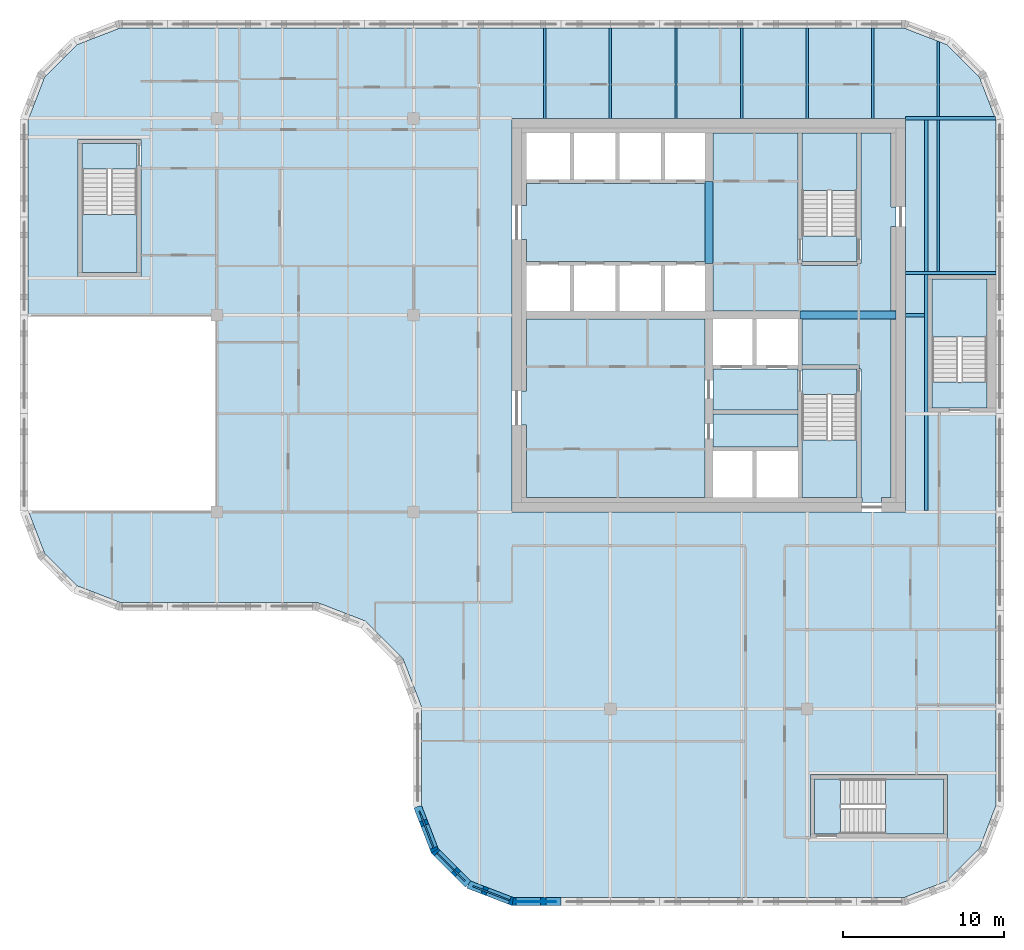
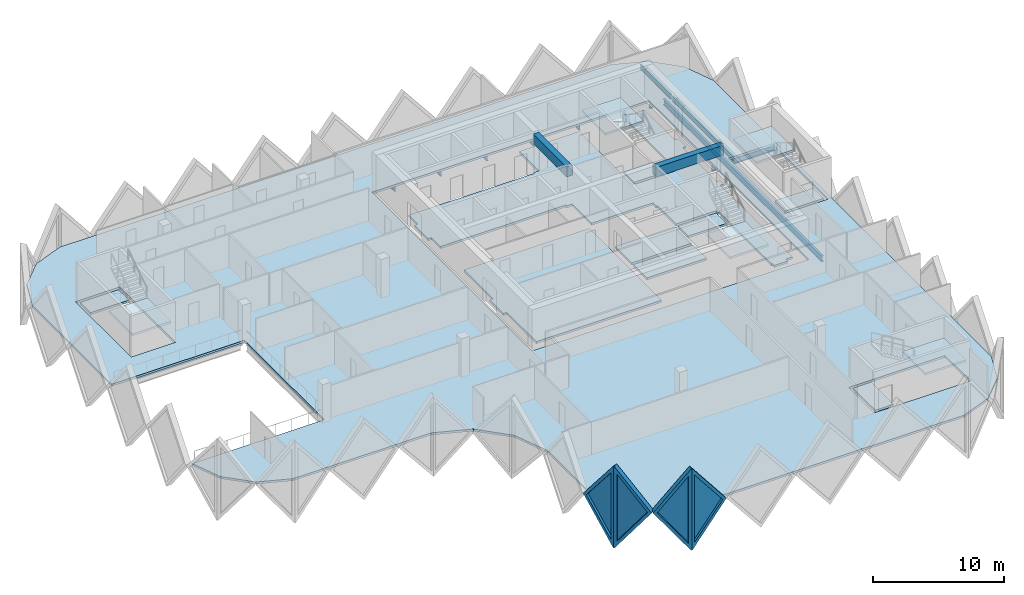
# One storey, part 2 of 11: 15 slabs, 14 beams, 4 plates, 4 walls, 4 openings, 5 elements without a shape of their own.
"""IFC4 building model written with IfcOpenShell, lengths in metres."""

from ifc_helpers import new_model, si_unit, direction, frame, origin, origin_2d, place, context, subcontext, project, spatial, polyline, rectangle, i_section, outline, extrude, faceted_brep, source, transform, mapped, material, layer, layer_set, material_profile, profile_set, type_object, element, fill, aggregate, save


model = new_model("IFC4")

# Units and contexts
model_context = context("Model", 3, precision=1e-05, world=origin(), true_north=direction((0.0, 1.0)))
body_context = subcontext(model_context, "Body", "Model", "MODEL_VIEW")
ifc_project = project(units=[si_unit("LENGTHUNIT", "METRE"), si_unit("AREAUNIT", "SQUARE_METRE"), si_unit("VOLUMEUNIT", "CUBIC_METRE"), si_unit("PLANEANGLEUNIT", "RADIAN"), si_unit("MASSUNIT", "GRAM", prefix="KILO")], contexts=[model_context])

# Site, building, storey
site_placement = place(None, origin())
site = spatial("IfcSite", under=ifc_project, at=site_placement, CompositionType="ELEMENT")
building_placement = place(site_placement, origin())
building = spatial("IfcBuilding", under=site, at=building_placement, Name="Tessera Gate Towers", CompositionType="ELEMENT")
storey_placement = place(building_placement, frame((0.0, 0.0, 170.60009765625)))
storey = spatial("IfcBuildingStorey", under=building, at=storey_placement, Name="L42", CompositionType="ELEMENT", Elevation=170.60009765625)

# Beams
ifc_material_1 = material(Name="Concrete C50/60", Category="concrete")
ifc_material_profile_1 = material_profile(ifc_material_1, rectangle(XDim=0.5, YDim=0.89990234375, at=origin_2d()), Name="RC 500x900")
ifc_profile_set_1 = profile_set([ifc_material_profile_1], Name="Concrete C50/60")
beam_type_1 = type_object("IfcBeamType", Name="COUPLING BEAM 500x900 C50/60", PredefinedType="BEAM", material=ifc_profile_set_1)
beam_1_placement = place(storey_placement, frame((48.35009765625, 36.60009765625, 3.14990234375), z_axis=(1.0, 0.0, 0.0), x_axis=(0.0, 1.0, 0.0)))
element("IfcBeam", 1, at=beam_1_placement, inside=storey, type_object=beam_type_1, Name="L42 coupling beam 1", PredefinedType="BEAM", context=body_context, shape_type="SweptSolid", body=[
    extrude(rectangle(XDim=0.5, YDim=0.89990234375, at=origin_2d()), origin(), (0.0, 0.0, 1.0), 5.949951171875),
])
beam_2_placement = place(storey_placement, frame((42.699951171875, 39.800048828125, 3.14990234375), z_axis=(0.0, 1.0, 0.0), x_axis=(-1.0, 0.0, 0.0)))
element("IfcBeam", 2, at=beam_2_placement, inside=storey, type_object=beam_type_1, Name="L42 coupling beam 2", PredefinedType="BEAM", context=body_context, shape_type="SweptSolid", body=[
    extrude(rectangle(XDim=0.5, YDim=0.89990234375, at=origin_2d()), origin(), (0.0, 0.0, 1.0), 5.099853515625),
])
ifc_material_2 = material(Name="Steel 350W", Category="steel")
ifc_material_profile_2 = material_profile(ifc_material_2, i_section(OverallWidth=0.208984375, OverallDepth=0.532958984375, WebThickness=0.01025390625, FlangeThickness=0.015625, at=origin_2d()), Name="W530x92")
ifc_profile_set_2 = profile_set([ifc_material_profile_2], Name="Steel 350W")
beam_type_2 = type_object("IfcBeamType", Name="FLOOR GIRDER W530x92", PredefinedType="BEAM", material=ifc_profile_set_2)
beam_3_placement = place(storey_placement, frame((54.89892578125, 36.60009765625, -0.466552734375), z_axis=(1.0, 0.0, 0.0), x_axis=(0.0, 1.0, 0.0)))
element("IfcBeam", 3, at=beam_3_placement, inside=storey, type_object=beam_type_2, Name="T1-GD-L42-4674", PredefinedType="BEAM", context=body_context, shape_type="SweptSolid", body=[
    extrude(i_section(OverallWidth=0.208984375, OverallDepth=0.532958984375, WebThickness=0.01025390625, FlangeThickness=0.015625, at=origin_2d()), origin(), (0.0, 0.0, 1.0), 1.176513671875),
])
beam_4_placement = place(storey_placement, frame((54.90087890625, 48.800048828125, -0.466552734375), z_axis=(1.0, 0.0, 0.0), x_axis=(0.0, 1.0, 0.0)))
element("IfcBeam", 4, at=beam_4_placement, inside=storey, type_object=beam_type_2, Name="T1-GD-L42-4678", PredefinedType="BEAM", context=body_context, shape_type="SweptSolid", body=[
    extrude(i_section(OverallWidth=0.208984375, OverallDepth=0.532958984375, WebThickness=0.01025390625, FlangeThickness=0.015625, at=origin_2d()), origin(), (0.0, 0.0, 1.0), 5.564208984375),
])
beam_5_placement = place(storey_placement, frame((54.89892578125, 39.219970703125, -0.466552734375), z_axis=(1.0, 0.0, 0.0), x_axis=(0.0, 1.0, 0.0)))
element("IfcBeam", 5, at=beam_5_placement, inside=storey, type_object=beam_type_2, Name="T1-GD-L42-4696", PredefinedType="BEAM", context=body_context, shape_type="SweptSolid", body=[
    extrude(i_section(OverallWidth=0.208984375, OverallDepth=0.532958984375, WebThickness=0.01025390625, FlangeThickness=0.015625, at=origin_2d()), origin(), (0.0, 0.0, 1.0), 5.60205078125),
])
beam_6_placement = place(storey_placement, frame((56.179931640625, 24.50439453125, -0.466552734375), z_axis=(0.0, 1.0, 0.0), x_axis=(-1.0, 0.0, 0.0)))
element("IfcBeam", 6, at=beam_6_placement, inside=storey, type_object=beam_type_2, Name="T1-GD-L42-4697", PredefinedType="BEAM", context=body_context, shape_type="SweptSolid", body=[
    extrude(i_section(OverallWidth=0.208984375, OverallDepth=0.532958984375, WebThickness=0.01025390625, FlangeThickness=0.015625, at=origin_2d()), origin(), (0.0, 0.0, 1.0), 24.191162109375),
])
ifc_material_3 = material(Name="Steel 350W", Category="steel")
ifc_material_profile_3 = material_profile(ifc_material_3, i_section(OverallWidth=0.153076171875, OverallDepth=0.455078125, WebThickness=0.008056640625, FlangeThickness=0.01318359375, at=origin_2d()), Name="W460x60")
ifc_profile_set_3 = profile_set([ifc_material_profile_3], Name="Steel 350W")
beam_type_3 = type_object("IfcBeamType", Name="FLOOR SECONDARY W460x60", PredefinedType="BEAM", material=ifc_profile_set_3)
for number, where, z_axis, x_axis, name in (
    (7, (32.533203125, 48.800048828125, -0.427490234375), (0.0, 1.0, 0.0), (-1.0, 0.0, 0.0), "T1-BM-L42-4719"),
    (8, (36.60009765625, 48.800048828125, -0.427490234375), (0.0, 1.0, 0.0), (-1.0, 0.0, 0.0), "T1-BM-L42-4720"),
    (9, (40.666748046875, 48.800048828125, -0.427490234375), (0.0, 1.0, 0.0), (-1.0, 0.0, 0.0), "T1-BM-L42-4723"),
    (10, (44.7333984375, 48.800048828125, -0.427490234375), (0.0, 1.0, 0.0), (-1.0, 0.0, 0.0), "T1-BM-L42-4726"),
    (11, (48.800048828125, 48.800048828125, -0.427490234375), (0.0, 1.0, 0.0), (-1.0, 0.0, 0.0), "T1-BM-L42-4727"),
    (12, (52.86669921875, 48.800048828125, -0.427490234375), (0.0, 1.0, 0.0), (-1.0, 0.0, 0.0), "T1-BM-L42-4731"),
):
    element("IfcBeam", number, at=place(storey_placement, frame(where, z_axis=z_axis, x_axis=x_axis)), inside=storey, type_object=beam_type_3, Name=name, PredefinedType="BEAM", context=body_context, shape_type="SweptSolid", body=[
        extrude(i_section(OverallWidth=0.153076171875, OverallDepth=0.455078125, WebThickness=0.008056640625, FlangeThickness=0.01318359375, at=origin_2d()), origin(), (0.0, 0.0, 1.0), 5.599853515625),
    ])
beam_7_placement = place(storey_placement, frame((56.933349609375, 39.324462890625, -0.427490234375), z_axis=(0.0, 1.0, 0.0), x_axis=(-1.0, 0.0, 0.0)))
element("IfcBeam", 13, at=beam_7_placement, inside=storey, type_object=beam_type_3, Name="T1-BM-L42-4736", PredefinedType="BEAM", context=body_context, shape_type="SweptSolid", body=[
    extrude(i_section(OverallWidth=0.153076171875, OverallDepth=0.455078125, WebThickness=0.008056640625, FlangeThickness=0.01318359375, at=origin_2d()), origin(), (0.0, 0.0, 1.0), 9.37109375),
])
beam_8_placement = place(storey_placement, frame((56.933349609375, 48.904541015625, -0.427490234375), z_axis=(0.0, 1.0, 0.0), x_axis=(-1.0, 0.0, 0.0)))
element("IfcBeam", 14, at=beam_8_placement, inside=storey, type_object=beam_type_3, Name="T1-BM-L42-4737", PredefinedType="BEAM", context=body_context, shape_type="SweptSolid", body=[
    extrude(i_section(OverallWidth=0.153076171875, OverallDepth=0.455078125, WebThickness=0.008056640625, FlangeThickness=0.01318359375, at=origin_2d()), origin(), (0.0, 0.0, 1.0), 4.675048828125),
])

# Slabs
ifc_material_4 = material(Name="Concrete C35/45", Category="concrete")
ifc_layer_1 = layer(ifc_material_4, 0.199951171875)
ifc_layer_set_1 = layer_set([ifc_layer_1], Name="COMPOSITE FLOOR 200")
slab_type_1 = type_object("IfcSlabType", Name="COMPOSITE FLOOR 200", PredefinedType="FLOOR", material=ifc_layer_set_1)
slab_1_placement = place(storey_placement, frame((0.0, 0.0, -0.2001953125)))
element("IfcSlab", 15, at=slab_1_placement, inside=storey, type_object=slab_type_1, Name="T1-L42", PredefinedType="FLOOR", context=body_context, shape_type="SweptSolid", body=[
    extrude(outline(polyline([(0.5, 36.60009765625), (12.199951171875, 36.60009765625), (12.199951171875, 24.39990234375), (0.535888671875, 24.39990234375), (1.526123046875, 21.8330078125), (3.533203125, 19.826171875), (6.193115234375, 18.800048828125), (18.39306640625, 18.800048828125), (21.42431640625, 17.630615234375), (23.730712890625, 15.32421875), (24.89990234375, 12.293212890625), (24.89990234375, 6.193115234375), (25.926025390625, 3.533203125), (27.93310546875, 1.526123046875), (30.593017578125, 0.5), (54.806884765625, 0.5), (57.466796875, 1.526123046875), (59.473876953125, 3.533203125), (60.5, 6.193115234375), (60.5, 48.706787109375), (59.473876953125, 51.366943359375), (57.466796875, 53.373779296875), (54.806884765625, 54.39990234375), (6.193115234375, 54.39990234375), (3.533203125, 53.373779296875), (1.526123046875, 51.366943359375), (0.5, 48.706787109375), (0.5, 36.60009765625)]), holes=[polyline([(3.60009765625, 39.0), (3.60009765625, 47.5), (7.5, 47.5), (7.5, 39.0), (3.60009765625, 39.0)]), polyline([(30.5, 24.39990234375), (30.5, 48.800048828125), (54.89990234375, 48.800048828125), (54.89990234375, 24.39990234375), (30.5, 24.39990234375)]), polyline([(49.0, 4.199951171875), (49.0, 8.10009765625), (57.5, 8.10009765625), (57.5, 4.199951171875), (49.0, 4.199951171875)]), polyline([(56.300048828125, 30.60009765625), (56.300048828125, 39.10009765625), (60.199951171875, 39.10009765625), (60.199951171875, 30.60009765625), (56.300048828125, 30.60009765625)])]), origin(), (0.0, 0.0, 1.0), 0.2001953125),
])
ifc_material_5 = material(Name="Concrete C35/45", Category="concrete")
ifc_layer_2 = layer(ifc_material_5, 0.199951171875)
ifc_layer_set_2 = layer_set([ifc_layer_2], Name="CORE FLOOR SLAB 200")
slab_type_2 = type_object("IfcSlabType", Name="CORE FLOOR SLAB 200", PredefinedType="FLOOR", material=ifc_layer_set_2)
slab_2_placement = place(storey_placement, frame((0.0, 0.0, -0.2001953125)))
element("IfcSlab", 16, at=slab_2_placement, inside=storey, type_object=slab_type_2, Name="L42 core floor slab", PredefinedType="FLOOR", context=body_context, shape_type="SweptSolid", body=[
    extrude(outline(polyline([(42.449951171875, 44.89990234375), (42.449951171875, 44.77490234375), (31.39990234375, 44.77490234375), (31.39990234375, 43.39990234375), (31.10009765625, 43.39990234375), (31.10009765625, 41.300048828125), (31.39990234375, 41.300048828125), (31.39990234375, 39.925048828125), (42.449951171875, 39.925048828125), (42.449951171875, 39.800048828125), (42.949951171875, 39.800048828125), (42.949951171875, 36.85009765625), (48.35009765625, 36.85009765625), (48.35009765625, 36.35009765625), (48.47509765625, 36.35009765625), (48.47509765625, 33.52490234375), (52.0, 33.52490234375), (52.0, 33.27490234375), (52.125, 33.27490234375), (52.125, 25.300048828125), (52.199951171875, 25.300048828125), (52.199951171875, 25.0), (53.39990234375, 25.0), (53.39990234375, 25.300048828125), (54.0, 25.300048828125), (54.0, 36.320068359375), (54.300048828125, 36.320068359375), (54.300048828125, 36.8798828125), (54.0, 36.8798828125), (54.0, 42.10009765625), (54.300048828125, 42.10009765625), (54.300048828125, 43.300048828125), (54.0, 43.300048828125), (54.0, 47.89990234375), (52.125, 47.89990234375), (52.125, 39.800048828125), (51.875, 39.800048828125), (51.875, 39.675048828125), (48.47509765625, 39.675048828125), (48.47509765625, 39.800048828125), (48.22509765625, 39.800048828125), (48.22509765625, 47.89990234375), (42.949951171875, 47.89990234375), (42.949951171875, 44.89990234375), (42.449951171875, 44.89990234375)])), origin(), (0.0, 0.0, 1.0), 0.2001953125),
])
slab_3_placement = place(storey_placement, frame((0.0, 0.0, -0.2001953125)))
element("IfcSlab", 17, at=slab_3_placement, inside=storey, type_object=slab_type_2, Name="L42 core floor slab", PredefinedType="FLOOR", context=body_context, shape_type="SweptSolid", body=[
    extrude(outline(polyline([(31.39990234375, 36.35009765625), (31.39990234375, 31.89990234375), (31.10009765625, 31.89990234375), (31.10009765625, 29.800048828125), (31.39990234375, 29.800048828125), (31.39990234375, 25.300048828125), (42.449951171875, 25.300048828125), (42.449951171875, 36.35009765625), (31.39990234375, 36.35009765625)])), origin(), (0.0, 0.0, 1.0), 0.2001953125),
])
slab_4_placement = place(storey_placement, frame((0.0, 0.0, -0.2001953125)))
element("IfcSlab", 18, at=slab_4_placement, inside=storey, type_object=slab_type_2, Name="L42 core floor slab", PredefinedType="FLOOR", context=body_context, shape_type="SweptSolid", body=[
    extrude(outline(polyline([(42.949951171875, 33.27490234375), (42.949951171875, 30.72509765625), (48.22509765625, 30.72509765625), (48.22509765625, 33.27490234375), (42.949951171875, 33.27490234375)])), origin(), (0.0, 0.0, 1.0), 0.2001953125),
])
slab_5_placement = place(storey_placement, frame((0.0, 0.0, -0.2001953125)))
element("IfcSlab", 19, at=slab_5_placement, inside=storey, type_object=slab_type_2, Name="L42 core floor slab", PredefinedType="FLOOR", context=body_context, shape_type="SweptSolid", body=[
    extrude(outline(polyline([(48.22509765625, 30.47509765625), (42.949951171875, 30.47509765625), (42.949951171875, 28.425048828125), (48.22509765625, 28.425048828125), (48.22509765625, 30.47509765625)])), origin(), (0.0, 0.0, 1.0), 0.2001953125),
])
slab_6_placement = place(storey_placement, frame((0.0, 0.0, -0.2001953125)))
element("IfcSlab", 20, at=slab_6_placement, inside=storey, type_object=slab_type_2, Name="L42 core floor slab", PredefinedType="FLOOR", context=body_context, shape_type="SweptSolid", body=[
    extrude(outline(polyline([(51.875, 31.675048828125), (51.875, 33.27490234375), (48.47509765625, 33.27490234375), (48.47509765625, 31.675048828125), (51.875, 31.675048828125)])), origin(), (0.0, 0.0, 1.0), 0.2001953125),
])
slab_7_placement = place(storey_placement, frame((0.0, 0.0, -0.2001953125)))
element("IfcSlab", 21, at=slab_7_placement, inside=storey, type_object=slab_type_2, Name="L42 core floor slab", PredefinedType="FLOOR", context=body_context, shape_type="SweptSolid", body=[
    extrude(outline(polyline([(48.47509765625, 41.52490234375), (48.47509765625, 39.925048828125), (51.875, 39.925048828125), (51.875, 41.52490234375), (48.47509765625, 41.52490234375)])), origin(), (0.0, 0.0, 1.0), 0.2001953125),
])
slab_8_placement = place(storey_placement, frame((0.0, 0.0, -0.2001953125)))
element("IfcSlab", 22, at=slab_8_placement, inside=storey, type_object=slab_type_2, Name="L42 ST3 floor landing", PredefinedType="FLOOR", context=body_context, shape_type="SweptSolid", body=[
    extrude(outline(polyline([(3.85009765625, 47.25), (3.85009765625, 45.64990234375), (7.25, 45.64990234375), (7.25, 47.25), (3.85009765625, 47.25)])), origin(), (0.0, 0.0, 1.0), 0.2001953125),
])
slab_9_placement = place(storey_placement, frame((0.0, 0.0, -0.2001953125)))
element("IfcSlab", 23, at=slab_9_placement, inside=storey, type_object=slab_type_2, Name="L42 ST4 floor landing", PredefinedType="FLOOR", context=body_context, shape_type="SweptSolid", body=[
    extrude(outline(polyline([(49.25, 4.449951171875), (50.85009765625, 4.449951171875), (50.85009765625, 7.85009765625), (49.25, 7.85009765625), (49.25, 4.449951171875)])), origin(), (0.0, 0.0, 1.0), 0.2001953125),
])
slab_10_placement = place(storey_placement, frame((0.0, 0.0, -0.2001953125)))
element("IfcSlab", 24, at=slab_10_placement, inside=storey, type_object=slab_type_2, Name="L42 ST5 floor landing", PredefinedType="FLOOR", context=body_context, shape_type="SweptSolid", body=[
    extrude(outline(polyline([(59.949951171875, 30.85009765625), (59.949951171875, 32.449951171875), (56.550048828125, 32.449951171875), (56.550048828125, 30.85009765625), (59.949951171875, 30.85009765625)])), origin(), (0.0, 0.0, 1.0), 0.2001953125),
])

# Stair, slab
ifc_material_6 = material(Name="Concrete C40/50", Category="concrete")
stair_type_1 = type_object("IfcStairType", Name="EXIT STAIR ST1 1600", PredefinedType="HALF_TURN_STAIR", material=ifc_material_6)
stair_1_placement = place(storey_placement, origin())
stair_1 = element("IfcStair", 25, at=stair_1_placement, inside=storey, type_object=stair_type_1, Name="L42 Protected Exit Stair ST1", PredefinedType="HALF_TURN_STAIR")
ifc_material_7 = material(Name="Concrete C40/50", Category="concrete")
ifc_layer_3 = layer(ifc_material_7, 0.199951171875)
ifc_layer_set_3 = layer_set([ifc_layer_3], Name="EXIT STAIR LANDING 200")
slab_type_3 = type_object("IfcSlabType", Name="EXIT STAIR LANDING 200", PredefinedType="LANDING", material=ifc_layer_set_3)
slab_11_placement = place(storey_placement, frame((0.0, 0.0, 1.699951171875)))
slab_11 = element("IfcSlab", 26, at=slab_11_placement, type_object=slab_type_3, Name="ST1 landing 1", PredefinedType="LANDING", context=body_context, shape_type="SweptSolid", body=[
    extrude(outline(polyline([(48.47509765625, 28.875), (48.47509765625, 25.300048828125), (51.875, 25.300048828125), (51.875, 28.875), (48.47509765625, 28.875)])), origin(), (0.0, 0.0, 1.0), 0.199951171875),
])
aggregate(stair_1, [slab_11])

ifc_material_8 = material(Name="Concrete C40/50", Category="concrete")
stair_type_2 = type_object("IfcStairType", Name="EXIT STAIR ST2 1600", PredefinedType="HALF_TURN_STAIR", material=ifc_material_8)
stair_2_placement = place(storey_placement, origin())
stair_2 = element("IfcStair", 27, at=stair_2_placement, inside=storey, type_object=stair_type_2, Name="L42 Protected Exit Stair ST2", PredefinedType="HALF_TURN_STAIR")
slab_12_placement = place(storey_placement, frame((0.0, 0.0, 1.699951171875)))
slab_12 = element("IfcSlab", 28, at=slab_12_placement, type_object=slab_type_3, Name="ST2 landing 1", PredefinedType="LANDING", context=body_context, shape_type="SweptSolid", body=[
    extrude(outline(polyline([(51.875, 44.324951171875), (51.875, 47.89990234375), (48.47509765625, 47.89990234375), (48.47509765625, 44.324951171875), (51.875, 44.324951171875)])), origin(), (0.0, 0.0, 1.0), 0.199951171875),
])
aggregate(stair_2, [slab_12])

ifc_material_9 = material(Name="Concrete C40/50", Category="concrete")
stair_type_3 = type_object("IfcStairType", Name="EXIT STAIR ST3 1600", PredefinedType="HALF_TURN_STAIR", material=ifc_material_9)
stair_3_placement = place(storey_placement, origin())
stair_3 = element("IfcStair", 29, at=stair_3_placement, inside=storey, type_object=stair_type_3, Name="L42 West Exit Stair ST3", PredefinedType="HALF_TURN_STAIR")
slab_13_placement = place(storey_placement, frame((0.0, 0.0, 1.699951171875)))
slab_13 = element("IfcSlab", 30, at=slab_13_placement, type_object=slab_type_3, Name="ST3 landing 1", PredefinedType="LANDING", context=body_context, shape_type="SweptSolid", body=[
    extrude(outline(polyline([(3.85009765625, 42.85009765625), (3.85009765625, 39.25), (7.25, 39.25), (7.25, 42.85009765625), (3.85009765625, 42.85009765625)])), origin(), (0.0, 0.0, 1.0), 0.199951171875),
])
aggregate(stair_3, [slab_13])

ifc_material_10 = material(Name="Concrete C40/50", Category="concrete")
stair_type_4 = type_object("IfcStairType", Name="EXIT STAIR ST4 1600", PredefinedType="HALF_TURN_STAIR", material=ifc_material_10)
stair_4_placement = place(storey_placement, origin())
stair_4 = element("IfcStair", 31, at=stair_4_placement, inside=storey, type_object=stair_type_4, Name="L42 South Exit Stair ST4", PredefinedType="HALF_TURN_STAIR")
slab_14_placement = place(storey_placement, frame((0.0, 0.0, 1.699951171875)))
slab_14 = element("IfcSlab", 32, at=slab_14_placement, type_object=slab_type_3, Name="ST4 landing 1", PredefinedType="LANDING", context=body_context, shape_type="SweptSolid", body=[
    extrude(outline(polyline([(53.64990234375, 4.449951171875), (57.25, 4.449951171875), (57.25, 7.85009765625), (53.64990234375, 7.85009765625), (53.64990234375, 4.449951171875)])), origin(), (0.0, 0.0, 1.0), 0.199951171875),
])
aggregate(stair_4, [slab_14])

ifc_material_11 = material(Name="Concrete C40/50", Category="concrete")
stair_type_5 = type_object("IfcStairType", Name="EXIT STAIR ST5 1600", PredefinedType="HALF_TURN_STAIR", material=ifc_material_11)
stair_5_placement = place(storey_placement, origin())
stair_5 = element("IfcStair", 33, at=stair_5_placement, inside=storey, type_object=stair_type_5, Name="L42 East Exit Stair ST5", PredefinedType="HALF_TURN_STAIR")
slab_15_placement = place(storey_placement, frame((0.0, 0.0, 1.699951171875)))
slab_15 = element("IfcSlab", 34, at=slab_15_placement, type_object=slab_type_3, Name="ST5 landing 1", PredefinedType="LANDING", context=body_context, shape_type="SweptSolid", body=[
    extrude(outline(polyline([(59.949951171875, 35.25), (59.949951171875, 38.85009765625), (56.550048828125, 38.85009765625), (56.550048828125, 35.25), (59.949951171875, 35.25)])), origin(), (0.0, 0.0, 1.0), 0.199951171875),
])
aggregate(stair_5, [slab_15])

# Wall, opening, plate
ifc_material_12 = material(Name="Precast concrete C60/75 white", Category="concrete")
ifc_layer_4 = layer(ifc_material_12, 0.5)
ifc_layer_set_4 = layer_set([ifc_layer_4], Name="TS3 corner tessera")
wall_type = type_object("IfcWallType", Name="TS3 corner tessera", PredefinedType="SOLIDWALL", material=ifc_layer_set_4)
shared_shape_1 = source(origin(), body_context, "Body", "Brep", [
    faceted_brep([(2.950439453125, -0.25, 0.0), (3.00341796875, -0.25, 0.068359375), (3.00341796875, -0.25, 7.531494140625), (2.950439453125, -0.25, 7.599853515625), (0.0, -0.25, 3.800048828125), (0.046630859375, 0.25, 3.860107421875), (2.897705078125, 0.25, 7.53173828125), (2.897705078125, 0.25, 0.068115234375), (0.046630859375, 0.25, 3.739990234375), (2.950439453125, 0.00048828125, 0.0), (2.950439453125, 0.00048828125, 7.599853515625), (0.0, 0.0, 3.800048828125)], [[[0, 1, 2, 3, 4]], [[5, 6, 7, 8]], [[1, 0, 9]], [[10, 3, 2]], [[6, 5, 11, 4, 3, 10]], [[8, 7, 9, 0, 4, 11]], [[8, 11, 5]], [[1, 9, 7, 6, 10, 2]]]),
])
wall_1_placement = place(storey_placement, frame((24.64990234375, 6.146484375, -3.800048828125), z_axis=(0.0, 0.0, 1.0), x_axis=(0.359953949349, -0.932970071518, 0.0)))
wall_1 = element("IfcWall", 35, at=wall_1_placement, inside=storey, type_object=wall_type, Name="Precast corner tessera T1 TS3-0983", PredefinedType="SOLIDWALL", context=body_context, shape_type="MappedRepresentation", body=[
    mapped(shared_shape_1, transform((0.0, 0.0, 0.0), scale=1.0)),
])
shared_shape_2 = source(origin(), body_context, "Body", "SweptSolid", [
    extrude(outline(polyline([(2.75048828125, 6.934814453125), (0.31640625, 3.800048828125), (2.75048828125, 0.665283203125), (2.75048828125, 6.934814453125)])), frame((0.0, 0.260009765625, 0.0), z_axis=(0.0, -1.0, 0.0), x_axis=(1.0, 0.0, 0.0)), (0.0, 0.0, 1.0), 0.52001953125),
])
opening_1_placement = place(wall_1_placement, origin())
opening_1 = element("IfcOpeningElement", 36, at=opening_1_placement, cuts=wall_1, Name="Opening T1-PL2-1502", PredefinedType="OPENING", context=body_context, shape_type="MappedRepresentation", body=[
    mapped(shared_shape_2, transform((0.0, 0.0, 0.0), scale=1.0)),
])
ifc_material_13 = material(Name="Low-e laminated glass", Category="glass")
ifc_layer_5 = layer(ifc_material_13, 0.06005859375)
ifc_layer_set_5 = layer_set([ifc_layer_5], Name="PL2 rhombic pane")
plate_type = type_object("IfcPlateType", Name="PL2 rhombic pane", PredefinedType="SHEET", material=ifc_layer_set_5)
shared_shape_3 = source(origin(), body_context, "Body", "SweptSolid", [
    extrude(outline(polyline([(2.75048828125, 6.934814453125), (0.31640625, 3.800048828125), (2.75048828125, 0.665283203125), (2.75048828125, 6.934814453125)])), frame((0.0, 0.030029296875, 0.0), z_axis=(0.0, -1.0, 0.0), x_axis=(1.0, 0.0, 0.0)), (0.0, 0.0, 1.0), 0.06005859375),
])
plate_1_placement = place(opening_1_placement, origin())
plate_1 = element("IfcPlate", 37, at=plate_1_placement, inside=storey, type_object=plate_type, Name="Glass pane T1 PL2-1502", PredefinedType="SHEET", context=body_context, shape_type="MappedRepresentation", body=[
    mapped(shared_shape_3, transform((0.0, 0.0, 0.0), scale=1.0)),
])
fill(opening_1, plate_1)

shared_shape_4 = source(origin(), body_context, "Body", "Brep", [
    faceted_brep([(0.046630859375, -0.25, 0.0), (3.050048828125, -0.25, 3.800048828125), (0.046630859375, -0.25, 7.599853515625), (0.0, -0.25, 7.539794921875), (0.0, -0.25, 0.06005859375), (0.09326171875, 0.25, 7.541015625), (3.050048828125, 0.25, 3.800048828125), (0.09326171875, 0.25, 0.058837890625), (0.046630859375, 0.0, 0.0), (0.046630859375, 0.0, 7.599853515625)], [[[0, 1, 2, 3, 4]], [[5, 6, 7]], [[7, 6, 1, 0, 8]], [[6, 5, 9, 2, 1]], [[3, 2, 9]], [[8, 0, 4]], [[7, 8, 4, 3, 9, 5]]]),
])
wall_2_placement = place(storey_placement, frame((30.5, 0.25, -3.800048828125), z_axis=(0.0, 0.0, 1.0), x_axis=(1.0, 0.0, 0.0)))
wall_2 = element("IfcWall", 38, at=wall_2_placement, inside=storey, type_object=wall_type, Name="Precast corner tessera T1 TS3-0961", PredefinedType="SOLIDWALL", context=body_context, shape_type="MappedRepresentation", body=[
    mapped(shared_shape_4, transform((0.0, 0.0, 0.0), scale=1.0)),
])
shared_shape_5 = source(origin(), body_context, "Body", "SweptSolid", [
    extrude(outline(polyline([(0.24658203125, 0.65625), (2.7314453125, 3.800048828125), (0.24658203125, 6.94384765625), (0.24658203125, 0.65625)])), frame((0.0, 0.260009765625, 0.0), z_axis=(0.0, -1.0, 0.0), x_axis=(1.0, 0.0, 0.0)), (0.0, 0.0, 1.0), 0.52001953125),
])
opening_2_placement = place(wall_2_placement, origin())
opening_2 = element("IfcOpeningElement", 39, at=opening_2_placement, cuts=wall_2, Name="Opening T1-PL2-1457", PredefinedType="OPENING", context=body_context, shape_type="MappedRepresentation", body=[
    mapped(shared_shape_5, transform((0.0, 0.0, 0.0), scale=1.0)),
])
shared_shape_6 = source(origin(), body_context, "Body", "SweptSolid", [
    extrude(outline(polyline([(0.24658203125, 0.65625), (2.7314453125, 3.800048828125), (0.24658203125, 6.94384765625), (0.24658203125, 0.65625)])), frame((0.0, 0.030029296875, 0.0), z_axis=(0.0, -1.0, 0.0), x_axis=(1.0, 0.0, 0.0)), (0.0, 0.0, 1.0), 0.06005859375),
])
plate_2_placement = place(opening_2_placement, origin())
plate_2 = element("IfcPlate", 40, at=plate_2_placement, inside=storey, type_object=plate_type, Name="Glass pane T1 PL2-1457", PredefinedType="SHEET", context=body_context, shape_type="MappedRepresentation", body=[
    mapped(shared_shape_6, transform((0.0, 0.0, 0.0), scale=1.0)),
])
fill(opening_2, plate_2)

shared_shape_7 = source(origin(), body_context, "Body", "Brep", [
    faceted_brep([(0.052978515625, -0.25, 0.0), (2.9970703125, -0.25, 3.800048828125), (0.052978515625, -0.25, 7.599853515625), (0.0, -0.25, 7.53173828125), (0.0, -0.25, 0.068115234375), (0.10595703125, 0.25, 7.531494140625), (2.944091796875, 0.25, 3.8681640625), (2.944091796875, 0.25, 3.73193359375), (0.10595703125, 0.25, 0.068359375), (2.9970703125, 0.000244140625, 3.800048828125), (0.052978515625, 0.0, 0.0), (0.052978515625, 0.0, 7.599853515625)], [[[0, 1, 2, 3, 4]], [[5, 6, 7, 8]], [[8, 7, 9, 1, 0, 10]], [[6, 5, 11, 2, 1, 9]], [[3, 2, 11]], [[10, 0, 4]], [[8, 10, 4, 3, 11, 5]], [[7, 6, 9]]]),
])
wall_3_placement = place(storey_placement, frame((25.674560546875, 3.43115234375, -3.800048828125), z_axis=(0.0, 0.0, 1.0), x_axis=(0.707106781187, -0.707106781187, 0.0)))
wall_3 = element("IfcWall", 41, at=wall_3_placement, inside=storey, type_object=wall_type, Name="Precast corner tessera T1 TS3-0984", PredefinedType="SOLIDWALL", context=body_context, shape_type="MappedRepresentation", body=[
    mapped(shared_shape_7, transform((0.0, 0.0, 0.0), scale=1.0)),
])
shared_shape_8 = source(origin(), body_context, "Body", "SweptSolid", [
    extrude(outline(polyline([(0.2529296875, 0.666259765625), (2.680908203125, 3.800048828125), (0.2529296875, 6.93359375), (0.2529296875, 0.666259765625)])), frame((0.0, 0.260009765625, 0.0), z_axis=(0.0, -1.0, 0.0), x_axis=(1.0, 0.0, 0.0)), (0.0, 0.0, 1.0), 0.52001953125),
])
opening_3_placement = place(wall_3_placement, origin())
opening_3 = element("IfcOpeningElement", 42, at=opening_3_placement, cuts=wall_3, Name="Opening T1-PL2-1503", PredefinedType="OPENING", context=body_context, shape_type="MappedRepresentation", body=[
    mapped(shared_shape_8, transform((0.0, 0.0, 0.0), scale=1.0)),
])
shared_shape_9 = source(origin(), body_context, "Body", "SweptSolid", [
    extrude(outline(polyline([(0.2529296875, 0.666259765625), (2.680908203125, 3.800048828125), (0.2529296875, 6.93359375), (0.2529296875, 0.666259765625)])), frame((0.0, 0.030029296875, 0.0), z_axis=(0.0, -1.0, 0.0), x_axis=(1.0, 0.0, 0.0)), (0.0, 0.0, 1.0), 0.06005859375),
])
plate_3_placement = place(opening_3_placement, origin())
plate_3 = element("IfcPlate", 43, at=plate_3_placement, inside=storey, type_object=plate_type, Name="Glass pane T1 PL2-1503", PredefinedType="SHEET", context=body_context, shape_type="MappedRepresentation", body=[
    mapped(shared_shape_9, transform((0.0, 0.0, 0.0), scale=1.0)),
])
fill(opening_3, plate_3)

shared_shape_10 = source(origin(), body_context, "Body", "Brep", [
    faceted_brep([(2.950439453125, -0.25, 0.0), (2.9970703125, -0.25, 0.05908203125), (2.9970703125, -0.25, 7.540771484375), (2.950439453125, -0.25, 7.599853515625), (0.0, -0.25, 3.800048828125), (0.052978515625, 0.25, 3.8681640625), (2.904052734375, 0.25, 7.5400390625), (2.904052734375, 0.25, 0.059814453125), (0.052978515625, 0.25, 3.73193359375), (2.950439453125, 0.00048828125, 0.0), (2.950439453125, 0.00048828125, 7.599853515625), (0.0, 0.0, 3.800048828125)], [[[0, 1, 2, 3, 4]], [[5, 6, 7, 8]], [[1, 0, 9]], [[10, 3, 2]], [[6, 5, 11, 4, 3, 10]], [[8, 7, 9, 0, 4, 11]], [[8, 11, 5]], [[1, 9, 7, 6, 10, 2]]]),
])
wall_4_placement = place(storey_placement, frame((27.793701171875, 1.31201171875, -3.800048828125), z_axis=(0.0, 0.0, 1.0), x_axis=(0.932973525033, -0.359944998003, 0.0)))
wall_4 = element("IfcWall", 44, at=wall_4_placement, inside=storey, type_object=wall_type, Name="Precast corner tessera T1 TS3-0962", PredefinedType="SOLIDWALL", context=body_context, shape_type="MappedRepresentation", body=[
    mapped(shared_shape_10, transform((0.0, 0.0, 0.0), scale=1.0)),
])
opening_4_placement = place(wall_4_placement, origin())
opening_4 = element("IfcOpeningElement", 45, at=opening_4_placement, cuts=wall_4, Name="Opening T1-PL2-1458", PredefinedType="OPENING", context=body_context, shape_type="MappedRepresentation", body=[
    mapped(shared_shape_2, transform((0.0, 0.0, 0.0), scale=1.0)),
])
plate_4_placement = place(opening_4_placement, origin())
plate_4 = element("IfcPlate", 46, at=plate_4_placement, inside=storey, type_object=plate_type, Name="Glass pane T1 PL2-1458", PredefinedType="SHEET", context=body_context, shape_type="MappedRepresentation", body=[
    mapped(shared_shape_3, transform((0.0, 0.0, 0.0), scale=1.0)),
])
fill(opening_4, plate_4)

save(model, "model.ifc")
